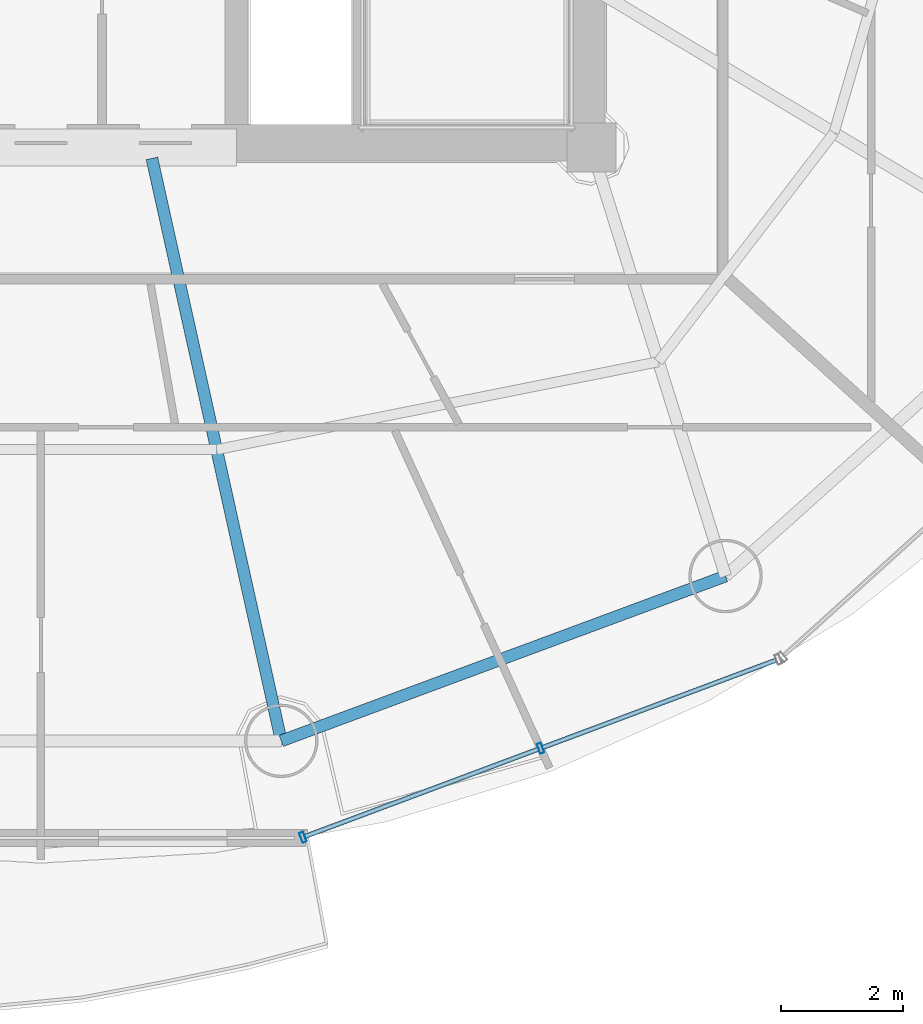
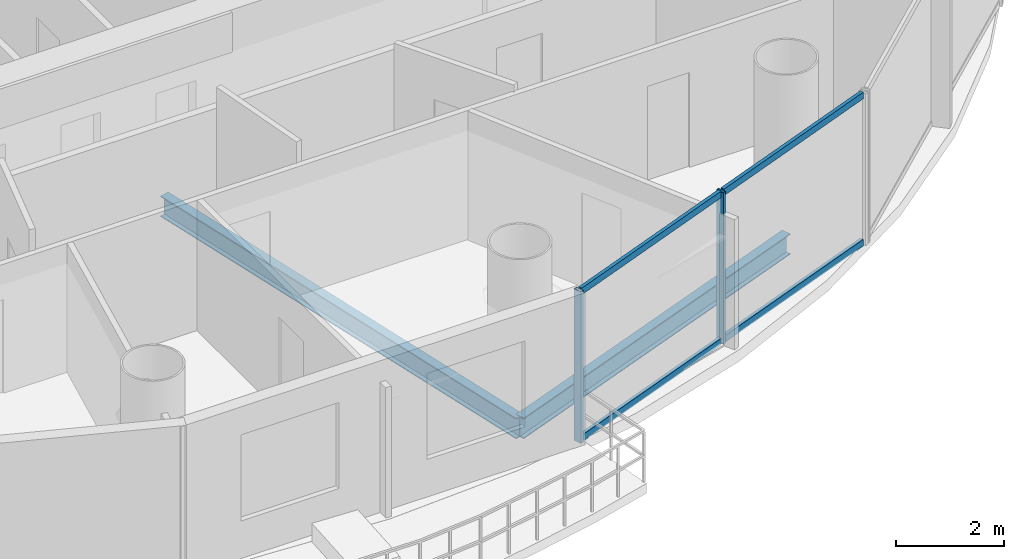
# One storey, part 5 of 26: 6 members, 2 beams, 1 element without a shape of its own.
"""IFC4 building model written with IfcOpenShell, lengths in metres."""

from ifc_helpers import new_model, si_unit, direction, frame, origin, origin_2d, place, context, subcontext, project, spatial, hollow_rectangle, i_section, extrude, source, transform, mapped, material, material_profile, profile_set, type_object, element, aggregate, save


model = new_model("IFC4")

# Units and contexts
model_context = context("Model", 3, precision=1e-05, world=origin(), true_north=direction((-0.2419218956, 0.970295726276)))
body_context = subcontext(model_context, "Body", "Model", "MODEL_VIEW")
ifc_project = project(units=[si_unit("LENGTHUNIT", "METRE"), si_unit("AREAUNIT", "SQUARE_METRE"), si_unit("VOLUMEUNIT", "CUBIC_METRE"), si_unit("PLANEANGLEUNIT", "RADIAN"), si_unit("MASSUNIT", "GRAM", prefix="KILO")], contexts=[model_context])

# Site, building, storey
site_placement = place(None, origin())
site = spatial("IfcSite", under=ifc_project, at=site_placement, CompositionType="ELEMENT")
building_placement = place(site_placement, origin())
building = spatial("IfcBuilding", under=site, at=building_placement, Name="Cobrevalo Terracotta Tower", CompositionType="ELEMENT")
storey_placement = place(building_placement, frame((0.0, 0.0, 202.300048828125)))
storey = spatial("IfcBuildingStorey", under=building, at=storey_placement, Name="L53", CompositionType="ELEMENT", Elevation=202.300048828125)

# Beams
ifc_material_1 = material(Name="Steel S355", Category="steel")
ifc_material_profile_1 = material_profile(ifc_material_1, i_section(OverallWidth=0.194091796875, OverallDepth=0.468994140625, WebThickness=0.011474609375, FlangeThickness=0.0205078125, at=origin_2d()), Name="W 460x106")
ifc_profile_set_1 = profile_set([ifc_material_profile_1], Name="Steel S355")
beam_type_1 = type_object("IfcBeamType", Name="Structural Beam W 460x106 (Steel S355)", PredefinedType="BEAM", material=ifc_profile_set_1)
beam_1_placement = place(storey_placement, frame((41.93115234375, 9.096923828125, -0.49951171875), z_axis=(-0.216782061165, 0.976220025382, 0.0), x_axis=(-0.976220025382, -0.216782061165, 0.0)))
element("IfcBeam", 1, at=beam_1_placement, inside=storey, type_object=beam_type_1, Name="L53 radial floor girder 13", PredefinedType="BEAM", context=body_context, shape_type="SweptSolid", body=[
    extrude(i_section(OverallWidth=0.194091796875, OverallDepth=0.468994140625, WebThickness=0.011474609375, FlangeThickness=0.0205078125, at=origin_2d()), origin(), (0.0, 0.0, 1.0), 9.755126953125),
])
ifc_material_profile_2 = material_profile(ifc_material_1, i_section(OverallWidth=0.194091796875, OverallDepth=0.468994140625, WebThickness=0.011474609375, FlangeThickness=0.0205078125, at=origin_2d()), Name="W 460x106")
ifc_profile_set_2 = profile_set([ifc_material_profile_2], Name="Steel S355")
beam_type_2 = type_object("IfcBeamType", Name="Structural Spandrel W 460x106 (Steel S355)", PredefinedType="SPANDREL", material=ifc_profile_set_2)
beam_2_placement = place(storey_placement, frame((41.93115234375, 9.096923828125, -0.49951171875), z_axis=(0.937545996665, 0.347861328892, 0.0), x_axis=(-0.347861328892, 0.937545996665, 0.0)))
element("IfcBeam", 2, at=beam_2_placement, inside=storey, type_object=beam_type_2, Name="L53 perimeter ring spandrel 13", PredefinedType="SPANDREL", context=body_context, shape_type="SweptSolid", body=[
    extrude(i_section(OverallWidth=0.194091796875, OverallDepth=0.468994140625, WebThickness=0.011474609375, FlangeThickness=0.0205078125, at=origin_2d()), origin(), (0.0, 0.0, 1.0), 7.74755859375),
])

# Curtain wall, members
ifc_material_2 = material(Name="Anodized aluminium", Category="aluminium")
curtain_wall_type = type_object("IfcCurtainWallType", Name="Mid-tower high-wind unitised curtain wall CW-U2", PredefinedType="NOTDEFINED", material=ifc_material_2)
curtain_wall_placement = place(storey_placement, origin())
curtain_wall = element("IfcCurtainWall", 3, at=curtain_wall_placement, inside=storey, type_object=curtain_wall_type, Name="L53 curtain wall CW-L53-S13", PredefinedType="NOTDEFINED")
ifc_material_profile_3 = material_profile(ifc_material_2, hollow_rectangle(XDim=0.074951171875, YDim=0.14990234375, WallThickness=0.00439453125, at=origin_2d()), Name="CWT 75x150")
ifc_profile_set_3 = profile_set([ifc_material_profile_3], Name="Anodized aluminium")
member_type_1 = type_object("IfcMemberType", Name="Tower unitised aluminium transom 75x150", PredefinedType="USERDEFINED", material=ifc_profile_set_3)
shared_shape_1 = source(origin(), body_context, "Body", "SweptSolid", [
    extrude(hollow_rectangle(XDim=0.074951171875, YDim=0.14990234375, WallThickness=0.00439453125, at=origin_2d()), origin(), (0.0, 0.0, 1.0), 4.069580078125),
])
member_1_placement = place(storey_placement, frame((46.20849609375, 8.990478515625, 0.050048828125), z_axis=(0.936548420649, 0.350538237259, 0.0), x_axis=(-0.350538237259, 0.936548420649, 0.0)))
member_1 = element("IfcMember", 4, at=member_1_placement, type_object=member_type_1, Name="CW-L53-S13 transom B02-T1", ObjectType="TRANSOM", PredefinedType="USERDEFINED", context=body_context, shape_type="MappedRepresentation", body=[
    mapped(shared_shape_1, transform((0.0, 0.0, 0.0), scale=1.0)),
])
member_2_placement = place(storey_placement, frame((46.20849609375, 8.990478515625, 3.385009765625), z_axis=(0.936548420649, 0.350538237259, 0.0), x_axis=(-0.350538237259, 0.936548420649, 0.0)))
member_2 = element("IfcMember", 5, at=member_2_placement, type_object=member_type_1, Name="CW-L53-S13 transom B02-T2", ObjectType="TRANSOM", PredefinedType="USERDEFINED", context=body_context, shape_type="MappedRepresentation", body=[
    mapped(shared_shape_1, transform((0.0, 0.0, 0.0), scale=1.0)),
])
shared_shape_2 = source(origin(), body_context, "Body", "SweptSolid", [
    extrude(hollow_rectangle(XDim=0.074951171875, YDim=0.14990234375, WallThickness=0.00439453125, at=origin_2d()), origin(), (0.0, 0.0, 1.0), 4.06982421875),
])
member_3_placement = place(storey_placement, frame((42.322021484375, 7.535888671875, 0.050048828125), z_axis=(0.936555791772, 0.350518542873, 0.0), x_axis=(-0.350518542873, 0.936555791772, 0.0)))
member_3 = element("IfcMember", 6, at=member_3_placement, type_object=member_type_1, Name="CW-L53-S13 transom B01-T1", ObjectType="TRANSOM", PredefinedType="USERDEFINED", context=body_context, shape_type="MappedRepresentation", body=[
    mapped(shared_shape_2, transform((0.0, 0.0, 0.0), scale=1.0)),
])
member_4_placement = place(storey_placement, frame((42.322021484375, 7.535888671875, 3.385009765625), z_axis=(0.936555791772, 0.350518542873, 0.0), x_axis=(-0.350518542873, 0.936555791772, 0.0)))
member_4 = element("IfcMember", 7, at=member_4_placement, type_object=member_type_1, Name="CW-L53-S13 transom B01-T2", ObjectType="TRANSOM", PredefinedType="USERDEFINED", context=body_context, shape_type="MappedRepresentation", body=[
    mapped(shared_shape_2, transform((0.0, 0.0, 0.0), scale=1.0)),
])
ifc_material_profile_4 = material_profile(ifc_material_2, hollow_rectangle(XDim=0.070068359375, YDim=0.169921875, WallThickness=0.00439453125, at=origin_2d()), Name="CWM 70x170")
ifc_profile_set_4 = profile_set([ifc_material_profile_4], Name="Anodized aluminium")
member_type_2 = type_object("IfcMemberType", Name="Upper tower unitised mullion 70x170", PredefinedType="MULLION", material=ifc_profile_set_4)
shared_shape_3 = source(origin(), body_context, "Body", "SweptSolid", [
    extrude(hollow_rectangle(XDim=0.070068359375, YDim=0.169921875, WallThickness=0.00439453125, at=origin_2d()), origin(), (0.0, 0.0, 1.0), 3.43505859375),
])
member_5_placement = place(storey_placement, frame((42.28466796875, 7.52197265625, 0.0), z_axis=(0.0, 0.0, 1.0), x_axis=(0.936556004584, 0.350517974259, 0.0)))
member_5 = element("IfcMember", 8, at=member_5_placement, type_object=member_type_2, Name="CW-L53-S13 vertical mullion 01", PredefinedType="MULLION", context=body_context, shape_type="MappedRepresentation", body=[
    mapped(shared_shape_3, transform((0.0, 0.0, 0.0), scale=1.0)),
])
member_6_placement = place(storey_placement, frame((46.1708984375, 8.9765625, 0.0), z_axis=(0.0, 0.0, 1.0), x_axis=(0.936556004584, 0.350517974259, 0.0)))
member_6 = element("IfcMember", 9, at=member_6_placement, type_object=member_type_2, Name="CW-L53-S13 vertical mullion 02", PredefinedType="MULLION", context=body_context, shape_type="MappedRepresentation", body=[
    mapped(shared_shape_3, transform((0.0, 0.0, 0.0), scale=1.0)),
])
aggregate(curtain_wall, [member_5, member_6, member_3, member_4, member_1, member_2])

save(model, "model.ifc")
